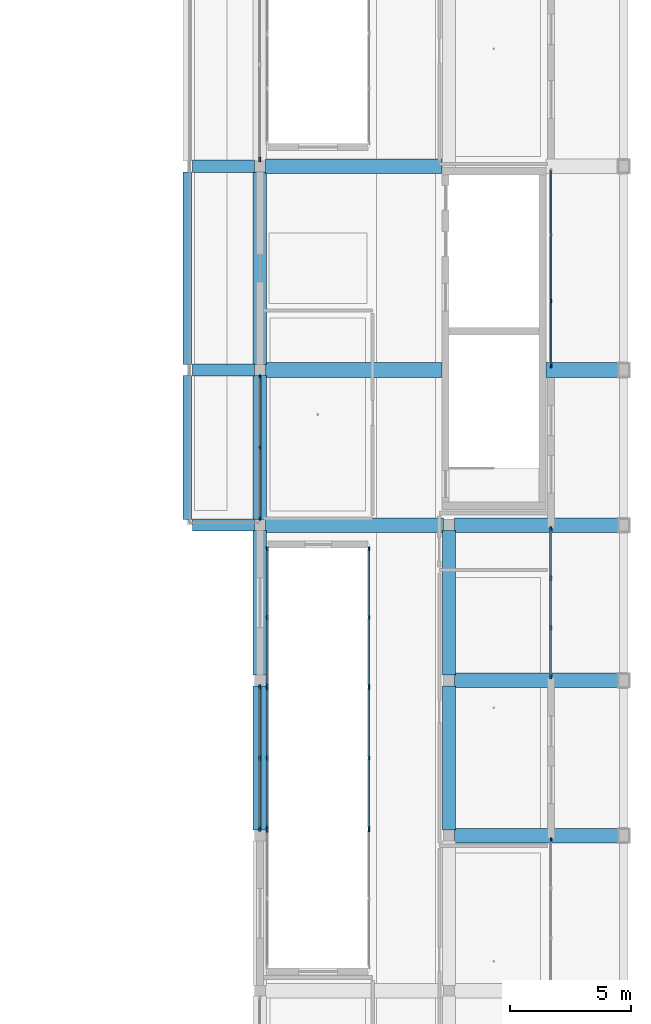
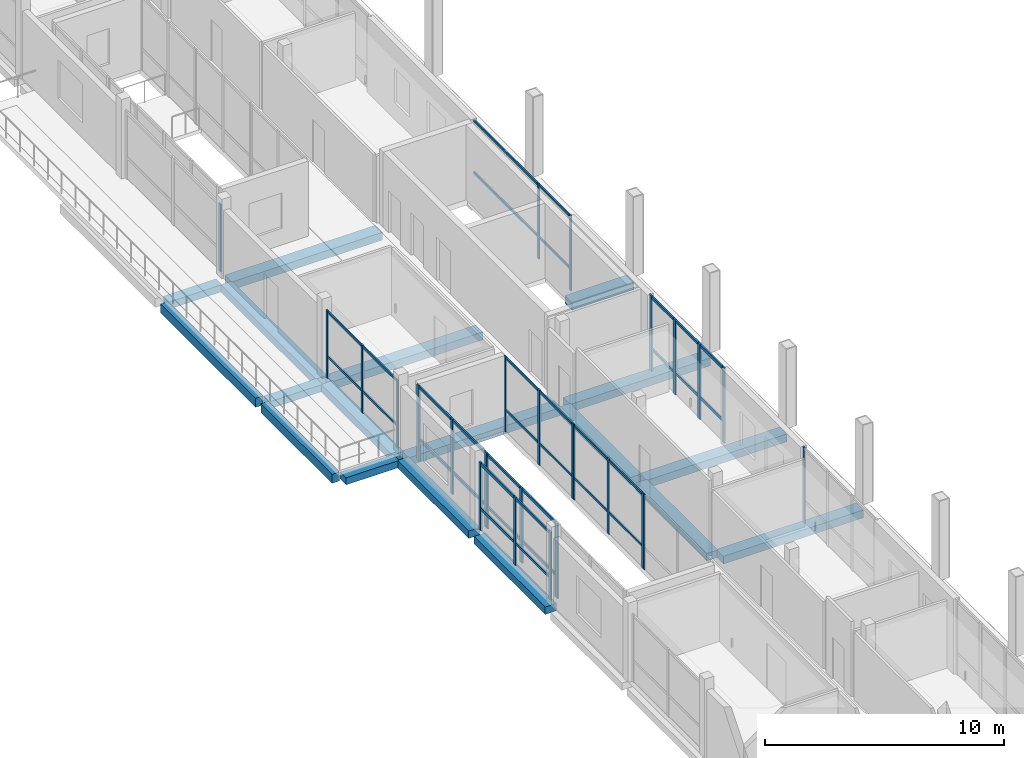
# One storey, part 10 of 48: 44 members, 18 beams, 12 elements without a shape of their own.
"""IFC4 building model written with IfcOpenShell, lengths in metres."""

from ifc_helpers import new_model, si_unit, derived_unit, direction, frame, origin, origin_2d, place, context, subcontext, project, spatial, rectangle, extrude, material, material_profile, profile_set, type_object, element, aggregate, save


model = new_model("IFC4")

# Units and contexts
model_context = context("Model", 3, precision=1e-05, world=origin(), true_north=direction((0.0, 1.0)))
body_context = subcontext(model_context, "Body", "Model", "MODEL_VIEW")
ifc_project = project(units=[si_unit("LENGTHUNIT", "METRE"), si_unit("AREAUNIT", "SQUARE_METRE"), si_unit("VOLUMEUNIT", "CUBIC_METRE"), si_unit("PLANEANGLEUNIT", "RADIAN"), si_unit("MASSUNIT", "GRAM", prefix="KILO"), derived_unit("THERMALTRANSMITTANCEUNIT", [(si_unit("POWERUNIT", "WATT"), 1), (si_unit("LENGTHUNIT", "METRE"), -2), (si_unit("THERMODYNAMICTEMPERATUREUNIT", "KELVIN"), -1)])], contexts=[model_context])

# Site, building, storey
site_placement = place(None, origin())
site = spatial("IfcSite", under=ifc_project, at=site_placement, CompositionType="ELEMENT")
building_placement = place(site_placement, origin())
building = spatial("IfcBuilding", under=site, at=building_placement, Name="Braskholm Square Health Centre", CompositionType="ELEMENT")
storey_placement = place(building_placement, frame((0.0, 0.0, 17.550048828125)))
storey = spatial("IfcBuildingStorey", under=building, at=storey_placement, Name="L05", CompositionType="ELEMENT", Elevation=17.550048828125)

# Curtain wall, member
ifc_material_1 = material(Name="Low-E triple insulating glass (VLT 0.64)", Category="glass")
curtain_wall_type_1 = type_object("IfcCurtainWallType", Name="UnitisedCurtainWall6200x3800", PredefinedType="NOTDEFINED", material=ifc_material_1)
curtain_wall_1_placement = place(storey_placement, origin())
curtain_wall_1 = element("IfcCurtainWall", 1, at=curtain_wall_1_placement, inside=storey, type_object=curtain_wall_type_1, Name="East Crown unitised curtain wall CW-L05-0078", PredefinedType="NOTDEFINED")
ifc_material_2 = material(Name="Architectural bronze anodised aluminium", Category="aluminium")
ifc_material_profile_1 = material_profile(ifc_material_2, rectangle(XDim=0.06494140625, YDim=0.14990234375, at=origin_2d()), Name="ALU-65X150")
ifc_profile_set_1 = profile_set([ifc_material_profile_1], Name="Architectural bronze anodised aluminium")
member_type_1 = type_object("IfcMemberType", Name="CurtainWallMullion65x150", PredefinedType="MULLION", material=ifc_profile_set_1)
member_1_placement = place(storey_placement, frame((160.800048828125, 36.04296875, 0.0), z_axis=(0.0, 0.0, 1.0), x_axis=(1.0, 0.0, 0.0)))
member_1 = element("IfcMember", 2, at=member_1_placement, type_object=member_type_1, Name="CW-L05-0078 vertical mullion 4", PredefinedType="MULLION", context=body_context, shape_type="SweptSolid", body=[
    extrude(rectangle(XDim=0.06494140625, YDim=0.14990234375, at=origin_2d()), origin(), (0.0, 0.0, 1.0), 3.83984375),
])
aggregate(curtain_wall_1, [member_1])

# Curtain wall, members
curtain_wall_2_placement = place(storey_placement, origin())
curtain_wall_2 = element("IfcCurtainWall", 3, at=curtain_wall_2_placement, inside=storey, type_object=curtain_wall_type_1, Name="East Crown unitised curtain wall CW-L05-0080", PredefinedType="NOTDEFINED")
member_2_placement = place(storey_placement, frame((160.800048828125, 55.569091796875, 0.0), z_axis=(0.0, 0.0, 1.0), x_axis=(1.0, 0.0, 0.0)))
member_2 = element("IfcMember", 4, at=member_2_placement, type_object=member_type_1, Name="CW-L05-0080 vertical mullion 1", PredefinedType="MULLION", context=body_context, shape_type="SweptSolid", body=[
    extrude(rectangle(XDim=0.06494140625, YDim=0.14990234375, at=origin_2d()), origin(), (0.0, 0.0, 1.0), 3.83984375),
])
member_3_placement = place(storey_placement, frame((160.800048828125, 58.239990234375, 0.0), z_axis=(0.0, 0.0, 1.0), x_axis=(1.0, 0.0, 0.0)))
member_3 = element("IfcMember", 5, at=member_3_placement, type_object=member_type_1, Name="CW-L05-0080 vertical mullion 2", PredefinedType="MULLION", context=body_context, shape_type="SweptSolid", body=[
    extrude(rectangle(XDim=0.06494140625, YDim=0.14990234375, at=origin_2d()), origin(), (0.0, 0.0, 1.0), 3.83984375),
])

curtain_wall_type_2 = type_object("IfcCurtainWallType", Name="UnitisedCurtainWall6200x3650", PredefinedType="NOTDEFINED", material=ifc_material_1)
curtain_wall_3_placement = place(storey_placement, origin())
curtain_wall_3 = element("IfcCurtainWall", 6, at=curtain_wall_3_placement, inside=storey, type_object=curtain_wall_type_2, Name="East Valley unitised curtain wall CW-L05-0140", PredefinedType="NOTDEFINED")
member_4_placement = place(storey_placement, frame((148.800048828125, 55.12451171875, 0.0), z_axis=(0.0, 0.0, 1.0), x_axis=(1.0, 0.0, 0.0)))
member_4 = element("IfcMember", 7, at=member_4_placement, type_object=member_type_1, Name="CW-L05-0140 vertical mullion 1", PredefinedType="MULLION", context=body_context, shape_type="SweptSolid", body=[
    extrude(rectangle(XDim=0.06494140625, YDim=0.14990234375, at=origin_2d()), origin(), (0.0, 0.0, 1.0), 3.4599609375),
])
member_5_placement = place(storey_placement, frame((148.800048828125, 52.199951171875, 0.0), z_axis=(0.0, 0.0, 1.0), x_axis=(1.0, 0.0, 0.0)))
member_5 = element("IfcMember", 8, at=member_5_placement, type_object=member_type_1, Name="CW-L05-0140 vertical mullion 2", PredefinedType="MULLION", context=body_context, shape_type="SweptSolid", body=[
    extrude(rectangle(XDim=0.06494140625, YDim=0.14990234375, at=origin_2d()), origin(), (0.0, 0.0, 1.0), 3.4599609375),
])
member_6_placement = place(storey_placement, frame((148.800048828125, 49.275390625, 0.0), z_axis=(0.0, 0.0, 1.0), x_axis=(1.0, 0.0, 0.0)))
member_6 = element("IfcMember", 9, at=member_6_placement, type_object=member_type_1, Name="CW-L05-0140 vertical mullion 3", PredefinedType="MULLION", context=body_context, shape_type="SweptSolid", body=[
    extrude(rectangle(XDim=0.06494140625, YDim=0.14990234375, at=origin_2d()), origin(), (0.0, 0.0, 1.0), 3.4599609375),
])

# Curtain wall, member
curtain_wall_type_3 = type_object("IfcCurtainWallType", Name="UnitisedCurtainWall5400x3800", PredefinedType="NOTDEFINED", material=ifc_material_1)
curtain_wall_4_placement = place(storey_placement, origin())
curtain_wall_4 = element("IfcCurtainWall", 10, at=curtain_wall_4_placement, inside=storey, type_object=curtain_wall_type_3, Name="EC1 Court E unitised curtain wall CW-L05-0346", PredefinedType="NOTDEFINED")
member_7_placement = place(storey_placement, frame((153.300048828125, 36.427734375, 0.0), z_axis=(0.0, 0.0, 1.0), x_axis=(1.0, 0.0, 0.0)))
member_7 = element("IfcMember", 11, at=member_7_placement, type_object=member_type_1, Name="CW-L05-0346 vertical mullion 1", PredefinedType="MULLION", context=body_context, shape_type="SweptSolid", body=[
    extrude(rectangle(XDim=0.06494140625, YDim=0.14990234375, at=origin_2d()), origin(), (0.0, 0.0, 1.0), 3.83984375),
])
aggregate(curtain_wall_4, [member_7])

# Curtain wall, members
curtain_wall_5_placement = place(storey_placement, origin())
curtain_wall_5 = element("IfcCurtainWall", 12, at=curtain_wall_5_placement, inside=storey, type_object=curtain_wall_type_1, Name="EC1 Court E unitised curtain wall CW-L05-0348", PredefinedType="NOTDEFINED")
member_8_placement = place(storey_placement, frame((153.300048828125, 42.29296875, 0.0), z_axis=(0.0, 0.0, 1.0), x_axis=(1.0, 0.0, 0.0)))
member_8 = element("IfcMember", 13, at=member_8_placement, type_object=member_type_1, Name="CW-L05-0348 vertical mullion 1", PredefinedType="MULLION", context=body_context, shape_type="SweptSolid", body=[
    extrude(rectangle(XDim=0.06494140625, YDim=0.14990234375, at=origin_2d()), origin(), (0.0, 0.0, 1.0), 3.83984375),
])
member_9_placement = place(storey_placement, frame((153.300048828125, 39.39990234375, 0.0), z_axis=(0.0, 0.0, 1.0), x_axis=(1.0, 0.0, 0.0)))
member_9 = element("IfcMember", 14, at=member_9_placement, type_object=member_type_1, Name="CW-L05-0348 vertical mullion 2", PredefinedType="MULLION", context=body_context, shape_type="SweptSolid", body=[
    extrude(rectangle(XDim=0.06494140625, YDim=0.14990234375, at=origin_2d()), origin(), (0.0, 0.0, 1.0), 3.83984375),
])
member_10_placement = place(storey_placement, frame((153.300048828125, 36.507080078125, 0.0), z_axis=(0.0, 0.0, 1.0), x_axis=(1.0, 0.0, 0.0)))
member_10 = element("IfcMember", 15, at=member_10_placement, type_object=member_type_1, Name="CW-L05-0348 vertical mullion 3", PredefinedType="MULLION", context=body_context, shape_type="SweptSolid", body=[
    extrude(rectangle(XDim=0.06494140625, YDim=0.14990234375, at=origin_2d()), origin(), (0.0, 0.0, 1.0), 3.83984375),
])

curtain_wall_6_placement = place(storey_placement, origin())
curtain_wall_6 = element("IfcCurtainWall", 16, at=curtain_wall_6_placement, inside=storey, type_object=curtain_wall_type_3, Name="EC1 Court E unitised curtain wall CW-L05-0350", PredefinedType="NOTDEFINED")
member_11_placement = place(storey_placement, frame((153.300048828125, 48.025634765625, 0.0), z_axis=(0.0, 0.0, 1.0), x_axis=(1.0, 0.0, 0.0)))
member_11 = element("IfcMember", 17, at=member_11_placement, type_object=member_type_1, Name="CW-L05-0350 vertical mullion 1", PredefinedType="MULLION", context=body_context, shape_type="SweptSolid", body=[
    extrude(rectangle(XDim=0.06494140625, YDim=0.14990234375, at=origin_2d()), origin(), (0.0, 0.0, 1.0), 3.83984375),
])
member_12_placement = place(storey_placement, frame((153.300048828125, 45.198974609375, 0.0), z_axis=(0.0, 0.0, 1.0), x_axis=(1.0, 0.0, 0.0)))
member_12 = element("IfcMember", 18, at=member_12_placement, type_object=member_type_1, Name="CW-L05-0350 vertical mullion 2", PredefinedType="MULLION", context=body_context, shape_type="SweptSolid", body=[
    extrude(rectangle(XDim=0.06494140625, YDim=0.14990234375, at=origin_2d()), origin(), (0.0, 0.0, 1.0), 3.83984375),
])
member_13_placement = place(storey_placement, frame((153.300048828125, 42.372314453125, 0.0), z_axis=(0.0, 0.0, 1.0), x_axis=(1.0, 0.0, 0.0)))
member_13 = element("IfcMember", 19, at=member_13_placement, type_object=member_type_1, Name="CW-L05-0350 vertical mullion 3", PredefinedType="MULLION", context=body_context, shape_type="SweptSolid", body=[
    extrude(rectangle(XDim=0.06494140625, YDim=0.14990234375, at=origin_2d()), origin(), (0.0, 0.0, 1.0), 3.83984375),
])

curtain_wall_7_placement = place(storey_placement, origin())
curtain_wall_7 = element("IfcCurtainWall", 20, at=curtain_wall_7_placement, inside=storey, type_object=curtain_wall_type_1, Name="East Crown unitised curtain wall CW-L05-0079", PredefinedType="NOTDEFINED")
ifc_material_profile_2 = material_profile(ifc_material_2, rectangle(XDim=0.074951171875, YDim=0.179931640625, at=origin_2d()), Name="ALU-75X180")
ifc_profile_set_2 = profile_set([ifc_material_profile_2], Name="Architectural bronze anodised aluminium")
member_type_2 = type_object("IfcMemberType", Name="CurtainWallMullion75x180", PredefinedType="MULLION", material=ifc_profile_set_2)
member_14_placement = place(storey_placement, frame((160.800048828125, 42.757080078125, 0.0), z_axis=(0.0, 0.0, 1.0), x_axis=(1.0, 0.0, 0.0)))
member_14 = element("IfcMember", 21, at=member_14_placement, type_object=member_type_2, Name="CW-L05-0079 vertical mullion 1", PredefinedType="MULLION", context=body_context, shape_type="SweptSolid", body=[
    extrude(rectangle(XDim=0.074951171875, YDim=0.179931640625, at=origin_2d()), origin(), (0.0, 0.0, 1.0), 3.83984375),
])
member_15_placement = place(storey_placement, frame((160.800048828125, 44.773193359375, 0.0), z_axis=(0.0, 0.0, 1.0), x_axis=(1.0, 0.0, 0.0)))
member_15 = element("IfcMember", 22, at=member_15_placement, type_object=member_type_2, Name="CW-L05-0079 vertical mullion 2", PredefinedType="MULLION", context=body_context, shape_type="SweptSolid", body=[
    extrude(rectangle(XDim=0.074951171875, YDim=0.179931640625, at=origin_2d()), origin(), (0.0, 0.0, 1.0), 3.83984375),
])
member_16_placement = place(storey_placement, frame((160.800048828125, 46.82666015625, 0.0), z_axis=(0.0, 0.0, 1.0), x_axis=(1.0, 0.0, 0.0)))
member_16 = element("IfcMember", 23, at=member_16_placement, type_object=member_type_2, Name="CW-L05-0079 vertical mullion 3", PredefinedType="MULLION", context=body_context, shape_type="SweptSolid", body=[
    extrude(rectangle(XDim=0.074951171875, YDim=0.179931640625, at=origin_2d()), origin(), (0.0, 0.0, 1.0), 3.83984375),
])
member_17_placement = place(storey_placement, frame((160.800048828125, 48.843017578125, 0.0), z_axis=(0.0, 0.0, 1.0), x_axis=(1.0, 0.0, 0.0)))
member_17 = element("IfcMember", 24, at=member_17_placement, type_object=member_type_2, Name="CW-L05-0079 vertical mullion 4", PredefinedType="MULLION", context=body_context, shape_type="SweptSolid", body=[
    extrude(rectangle(XDim=0.074951171875, YDim=0.179931640625, at=origin_2d()), origin(), (0.0, 0.0, 1.0), 3.83984375),
])

curtain_wall_8_placement = place(storey_placement, origin())
curtain_wall_8 = element("IfcCurtainWall", 25, at=curtain_wall_8_placement, inside=storey, type_object=curtain_wall_type_2, Name="East Valley unitised curtain wall CW-L05-0139", PredefinedType="NOTDEFINED")
member_18_placement = place(storey_placement, frame((148.800048828125, 42.324462890625, 0.0), z_axis=(0.0, 0.0, 1.0), x_axis=(1.0, 0.0, 0.0)))
member_18 = element("IfcMember", 26, at=member_18_placement, type_object=member_type_2, Name="CW-L05-0139 vertical mullion 1", PredefinedType="MULLION", context=body_context, shape_type="SweptSolid", body=[
    extrude(rectangle(XDim=0.074951171875, YDim=0.179931640625, at=origin_2d()), origin(), (0.0, 0.0, 1.0), 3.4599609375),
])
member_19_placement = place(storey_placement, frame((148.800048828125, 39.39990234375, 0.0), z_axis=(0.0, 0.0, 1.0), x_axis=(1.0, 0.0, 0.0)))
member_19 = element("IfcMember", 27, at=member_19_placement, type_object=member_type_2, Name="CW-L05-0139 vertical mullion 2", PredefinedType="MULLION", context=body_context, shape_type="SweptSolid", body=[
    extrude(rectangle(XDim=0.074951171875, YDim=0.179931640625, at=origin_2d()), origin(), (0.0, 0.0, 1.0), 3.4599609375),
])
member_20_placement = place(storey_placement, frame((148.800048828125, 36.4755859375, 0.0), z_axis=(0.0, 0.0, 1.0), x_axis=(1.0, 0.0, 0.0)))
member_20 = element("IfcMember", 28, at=member_20_placement, type_object=member_type_2, Name="CW-L05-0139 vertical mullion 3", PredefinedType="MULLION", context=body_context, shape_type="SweptSolid", body=[
    extrude(rectangle(XDim=0.074951171875, YDim=0.179931640625, at=origin_2d()), origin(), (0.0, 0.0, 1.0), 3.4599609375),
])

# Curtain wall, member
curtain_wall_9_placement = place(storey_placement, origin())
curtain_wall_9 = element("IfcCurtainWall", 29, at=curtain_wall_9_placement, inside=storey, type_object=curtain_wall_type_2, Name="East Valley unitised curtain wall CW-L05-0141", PredefinedType="NOTDEFINED")
member_21_placement = place(storey_placement, frame((148.800048828125, 64.08740234375, 0.0), z_axis=(0.0, 0.0, 1.0), x_axis=(1.0, 0.0, 0.0)))
member_21 = element("IfcMember", 30, at=member_21_placement, type_object=member_type_2, Name="CW-L05-0141 vertical mullion 3", PredefinedType="MULLION", context=body_context, shape_type="SweptSolid", body=[
    extrude(rectangle(XDim=0.074951171875, YDim=0.179931640625, at=origin_2d()), origin(), (0.0, 0.0, 1.0), 3.4599609375),
])
aggregate(curtain_wall_9, [member_21])

curtain_wall_10_placement = place(storey_placement, origin())
curtain_wall_10 = element("IfcCurtainWall", 31, at=curtain_wall_10_placement, inside=storey, type_object=curtain_wall_type_3, Name="EC1 Court W unitised curtain wall CW-L05-0345", PredefinedType="NOTDEFINED")
member_22_placement = place(storey_placement, frame((149.10009765625, 36.427734375, 0.0), z_axis=(0.0, 0.0, 1.0), x_axis=(1.0, 0.0, 0.0)))
member_22 = element("IfcMember", 32, at=member_22_placement, type_object=member_type_2, Name="CW-L05-0345 vertical mullion 3", PredefinedType="MULLION", context=body_context, shape_type="SweptSolid", body=[
    extrude(rectangle(XDim=0.074951171875, YDim=0.179931640625, at=origin_2d()), origin(), (0.0, 0.0, 1.0), 3.83984375),
])
aggregate(curtain_wall_10, [member_22])

# Curtain wall, members
curtain_wall_11_placement = place(storey_placement, origin())
curtain_wall_11 = element("IfcCurtainWall", 33, at=curtain_wall_11_placement, inside=storey, type_object=curtain_wall_type_1, Name="EC1 Court W unitised curtain wall CW-L05-0347", PredefinedType="NOTDEFINED")
member_23_placement = place(storey_placement, frame((149.10009765625, 36.507080078125, 0.0), z_axis=(0.0, 0.0, 1.0), x_axis=(1.0, 0.0, 0.0)))
member_23 = element("IfcMember", 34, at=member_23_placement, type_object=member_type_2, Name="CW-L05-0347 vertical mullion 1", PredefinedType="MULLION", context=body_context, shape_type="SweptSolid", body=[
    extrude(rectangle(XDim=0.074951171875, YDim=0.179931640625, at=origin_2d()), origin(), (0.0, 0.0, 1.0), 3.83984375),
])
member_24_placement = place(storey_placement, frame((149.10009765625, 39.39990234375, 0.0), z_axis=(0.0, 0.0, 1.0), x_axis=(1.0, 0.0, 0.0)))
member_24 = element("IfcMember", 35, at=member_24_placement, type_object=member_type_2, Name="CW-L05-0347 vertical mullion 2", PredefinedType="MULLION", context=body_context, shape_type="SweptSolid", body=[
    extrude(rectangle(XDim=0.074951171875, YDim=0.179931640625, at=origin_2d()), origin(), (0.0, 0.0, 1.0), 3.83984375),
])
member_25_placement = place(storey_placement, frame((149.10009765625, 42.29296875, 0.0), z_axis=(0.0, 0.0, 1.0), x_axis=(1.0, 0.0, 0.0)))
member_25 = element("IfcMember", 36, at=member_25_placement, type_object=member_type_2, Name="CW-L05-0347 vertical mullion 3", PredefinedType="MULLION", context=body_context, shape_type="SweptSolid", body=[
    extrude(rectangle(XDim=0.074951171875, YDim=0.179931640625, at=origin_2d()), origin(), (0.0, 0.0, 1.0), 3.83984375),
])

curtain_wall_12_placement = place(storey_placement, origin())
curtain_wall_12 = element("IfcCurtainWall", 37, at=curtain_wall_12_placement, inside=storey, type_object=curtain_wall_type_3, Name="EC1 Court W unitised curtain wall CW-L05-0349", PredefinedType="NOTDEFINED")
member_26_placement = place(storey_placement, frame((149.10009765625, 42.372314453125, 0.0), z_axis=(0.0, 0.0, 1.0), x_axis=(1.0, 0.0, 0.0)))
member_26 = element("IfcMember", 38, at=member_26_placement, type_object=member_type_2, Name="CW-L05-0349 vertical mullion 1", PredefinedType="MULLION", context=body_context, shape_type="SweptSolid", body=[
    extrude(rectangle(XDim=0.074951171875, YDim=0.179931640625, at=origin_2d()), origin(), (0.0, 0.0, 1.0), 3.83984375),
])
member_27_placement = place(storey_placement, frame((149.10009765625, 45.198974609375, 0.0), z_axis=(0.0, 0.0, 1.0), x_axis=(1.0, 0.0, 0.0)))
member_27 = element("IfcMember", 39, at=member_27_placement, type_object=member_type_2, Name="CW-L05-0349 vertical mullion 2", PredefinedType="MULLION", context=body_context, shape_type="SweptSolid", body=[
    extrude(rectangle(XDim=0.074951171875, YDim=0.179931640625, at=origin_2d()), origin(), (0.0, 0.0, 1.0), 3.83984375),
])
member_28_placement = place(storey_placement, frame((149.10009765625, 48.025634765625, 0.0), z_axis=(0.0, 0.0, 1.0), x_axis=(1.0, 0.0, 0.0)))
member_28 = element("IfcMember", 40, at=member_28_placement, type_object=member_type_2, Name="CW-L05-0349 vertical mullion 3", PredefinedType="MULLION", context=body_context, shape_type="SweptSolid", body=[
    extrude(rectangle(XDim=0.074951171875, YDim=0.179931640625, at=origin_2d()), origin(), (0.0, 0.0, 1.0), 3.83984375),
])

# Member
ifc_material_profile_3 = material_profile(ifc_material_2, rectangle(XDim=0.06494140625, YDim=0.1201171875, at=origin_2d()), Name="ALU-65X120")
ifc_profile_set_3 = profile_set([ifc_material_profile_3], Name="Architectural bronze anodised aluminium")
member_type_3 = type_object("IfcMemberType", Name="CurtainWallTransom65x120", PredefinedType="USERDEFINED", material=ifc_profile_set_3)
member_29_placement = place(storey_placement, frame((160.800048828125, 55.56494140625, 1.119873046875), z_axis=(0.0, 1.0, 0.0), x_axis=(-1.0, 0.0, 0.0)))
member_29 = element("IfcMember", 41, at=member_29_placement, type_object=member_type_3, Name="CW-L05-0080 horizontal transom 1", ObjectType="TRANSOM", PredefinedType="USERDEFINED", context=body_context, shape_type="SweptSolid", body=[
    extrude(rectangle(XDim=0.06494140625, YDim=0.1201171875, at=origin_2d()), origin(), (0.0, 0.0, 1.0), 8.070068359375),
])

member_30_placement = place(storey_placement, frame((160.800048828125, 55.56494140625, 3.77001953125), z_axis=(0.0, 1.0, 0.0), x_axis=(-1.0, 0.0, 0.0)))
member_30 = element("IfcMember", 42, at=member_30_placement, type_object=member_type_3, Name="CW-L05-0080 horizontal transom 2", ObjectType="TRANSOM", PredefinedType="USERDEFINED", context=body_context, shape_type="SweptSolid", body=[
    extrude(rectangle(XDim=0.06494140625, YDim=0.1201171875, at=origin_2d()), origin(), (0.0, 0.0, 1.0), 8.070068359375),
])

aggregate(curtain_wall_2, [member_2, member_3, member_29, member_30])

member_31_placement = place(storey_placement, frame((148.800048828125, 55.114990234375, 1.119873046875), z_axis=(0.0, -1.0, 0.0), x_axis=(1.0, 0.0, 0.0)))
member_31 = element("IfcMember", 43, at=member_31_placement, type_object=member_type_3, Name="CW-L05-0140 horizontal transom 1", ObjectType="TRANSOM", PredefinedType="USERDEFINED", context=body_context, shape_type="SweptSolid", body=[
    extrude(rectangle(XDim=0.06494140625, YDim=0.1201171875, at=origin_2d()), origin(), (0.0, 0.0, 1.0), 5.830078125),
])

member_32_placement = place(storey_placement, frame((148.800048828125, 55.114990234375, 3.389892578125), z_axis=(0.0, -1.0, 0.0), x_axis=(1.0, 0.0, 0.0)))
member_32 = element("IfcMember", 44, at=member_32_placement, type_object=member_type_3, Name="CW-L05-0140 horizontal transom 2", ObjectType="TRANSOM", PredefinedType="USERDEFINED", context=body_context, shape_type="SweptSolid", body=[
    extrude(rectangle(XDim=0.06494140625, YDim=0.1201171875, at=origin_2d()), origin(), (0.0, 0.0, 1.0), 5.830078125),
])

aggregate(curtain_wall_3, [member_4, member_5, member_6, member_31, member_32])

member_33_placement = place(storey_placement, frame((153.300048828125, 42.282958984375, 1.119873046875), z_axis=(0.0, -1.0, 0.0), x_axis=(1.0, 0.0, 0.0)))
member_33 = element("IfcMember", 45, at=member_33_placement, type_object=member_type_3, Name="CW-L05-0348 horizontal transom 1", ObjectType="TRANSOM", PredefinedType="USERDEFINED", context=body_context, shape_type="SweptSolid", body=[
    extrude(rectangle(XDim=0.06494140625, YDim=0.1201171875, at=origin_2d()), origin(), (0.0, 0.0, 1.0), 5.765869140625),
])

member_34_placement = place(storey_placement, frame((153.300048828125, 42.282958984375, 3.77001953125), z_axis=(0.0, -1.0, 0.0), x_axis=(1.0, 0.0, 0.0)))
member_34 = element("IfcMember", 46, at=member_34_placement, type_object=member_type_3, Name="CW-L05-0348 horizontal transom 2", ObjectType="TRANSOM", PredefinedType="USERDEFINED", context=body_context, shape_type="SweptSolid", body=[
    extrude(rectangle(XDim=0.06494140625, YDim=0.1201171875, at=origin_2d()), origin(), (0.0, 0.0, 1.0), 5.765869140625),
])

aggregate(curtain_wall_5, [member_8, member_9, member_10, member_33, member_34])

member_35_placement = place(storey_placement, frame((153.300048828125, 48.014892578125, 1.119873046875), z_axis=(0.0, -1.0, 0.0), x_axis=(1.0, 0.0, 0.0)))
member_35 = element("IfcMember", 47, at=member_35_placement, type_object=member_type_3, Name="CW-L05-0350 horizontal transom 1", ObjectType="TRANSOM", PredefinedType="USERDEFINED", context=body_context, shape_type="SweptSolid", body=[
    extrude(rectangle(XDim=0.06494140625, YDim=0.1201171875, at=origin_2d()), origin(), (0.0, 0.0, 1.0), 5.6318359375),
])

member_36_placement = place(storey_placement, frame((153.300048828125, 48.014892578125, 3.77001953125), z_axis=(0.0, -1.0, 0.0), x_axis=(1.0, 0.0, 0.0)))
member_36 = element("IfcMember", 48, at=member_36_placement, type_object=member_type_3, Name="CW-L05-0350 horizontal transom 2", ObjectType="TRANSOM", PredefinedType="USERDEFINED", context=body_context, shape_type="SweptSolid", body=[
    extrude(rectangle(XDim=0.06494140625, YDim=0.1201171875, at=origin_2d()), origin(), (0.0, 0.0, 1.0), 5.6318359375),
])

aggregate(curtain_wall_6, [member_11, member_12, member_13, member_35, member_36])

ifc_material_profile_4 = material_profile(ifc_material_2, rectangle(XDim=0.074951171875, YDim=0.139892578125, at=origin_2d()), Name="ALU-75X140")
ifc_profile_set_4 = profile_set([ifc_material_profile_4], Name="Architectural bronze anodised aluminium")
member_type_4 = type_object("IfcMemberType", Name="CurtainWallTransom75x140", PredefinedType="USERDEFINED", material=ifc_profile_set_4)
member_37_placement = place(storey_placement, frame((160.800048828125, 42.764892578125, 1.119873046875), z_axis=(0.0, 1.0, 0.0), x_axis=(-1.0, 0.0, 0.0)))
member_37 = element("IfcMember", 49, at=member_37_placement, type_object=member_type_4, Name="CW-L05-0079 horizontal transom 1", ObjectType="TRANSOM", PredefinedType="USERDEFINED", context=body_context, shape_type="SweptSolid", body=[
    extrude(rectangle(XDim=0.074951171875, YDim=0.139892578125, at=origin_2d()), origin(), (0.0, 0.0, 1.0), 6.070068359375),
])

member_38_placement = place(storey_placement, frame((160.800048828125, 42.764892578125, 3.77001953125), z_axis=(0.0, 1.0, 0.0), x_axis=(-1.0, 0.0, 0.0)))
member_38 = element("IfcMember", 50, at=member_38_placement, type_object=member_type_4, Name="CW-L05-0079 horizontal transom 2", ObjectType="TRANSOM", PredefinedType="USERDEFINED", context=body_context, shape_type="SweptSolid", body=[
    extrude(rectangle(XDim=0.074951171875, YDim=0.139892578125, at=origin_2d()), origin(), (0.0, 0.0, 1.0), 6.070068359375),
])

aggregate(curtain_wall_7, [member_14, member_15, member_16, member_17, member_37, member_38])

member_39_placement = place(storey_placement, frame((148.800048828125, 42.31494140625, 1.119873046875), z_axis=(0.0, -1.0, 0.0), x_axis=(1.0, 0.0, 0.0)))
member_39 = element("IfcMember", 51, at=member_39_placement, type_object=member_type_4, Name="CW-L05-0139 horizontal transom 1", ObjectType="TRANSOM", PredefinedType="USERDEFINED", context=body_context, shape_type="SweptSolid", body=[
    extrude(rectangle(XDim=0.074951171875, YDim=0.139892578125, at=origin_2d()), origin(), (0.0, 0.0, 1.0), 5.829833984375),
])

member_40_placement = place(storey_placement, frame((148.800048828125, 42.31494140625, 3.389892578125), z_axis=(0.0, -1.0, 0.0), x_axis=(1.0, 0.0, 0.0)))
member_40 = element("IfcMember", 52, at=member_40_placement, type_object=member_type_4, Name="CW-L05-0139 horizontal transom 2", ObjectType="TRANSOM", PredefinedType="USERDEFINED", context=body_context, shape_type="SweptSolid", body=[
    extrude(rectangle(XDim=0.074951171875, YDim=0.139892578125, at=origin_2d()), origin(), (0.0, 0.0, 1.0), 5.829833984375),
])

aggregate(curtain_wall_8, [member_18, member_19, member_20, member_39, member_40])

member_41_placement = place(storey_placement, frame((149.10009765625, 36.51708984375, 1.119873046875), z_axis=(0.0, 1.0, 0.0), x_axis=(-1.0, 0.0, 0.0)))
member_41 = element("IfcMember", 53, at=member_41_placement, type_object=member_type_4, Name="CW-L05-0347 horizontal transom 1", ObjectType="TRANSOM", PredefinedType="USERDEFINED", context=body_context, shape_type="SweptSolid", body=[
    extrude(rectangle(XDim=0.074951171875, YDim=0.139892578125, at=origin_2d()), origin(), (0.0, 0.0, 1.0), 5.765869140625),
])

member_42_placement = place(storey_placement, frame((149.10009765625, 36.51708984375, 3.77001953125), z_axis=(0.0, 1.0, 0.0), x_axis=(-1.0, 0.0, 0.0)))
member_42 = element("IfcMember", 54, at=member_42_placement, type_object=member_type_4, Name="CW-L05-0347 horizontal transom 2", ObjectType="TRANSOM", PredefinedType="USERDEFINED", context=body_context, shape_type="SweptSolid", body=[
    extrude(rectangle(XDim=0.074951171875, YDim=0.139892578125, at=origin_2d()), origin(), (0.0, 0.0, 1.0), 5.765869140625),
])

aggregate(curtain_wall_11, [member_23, member_24, member_25, member_41, member_42])

member_43_placement = place(storey_placement, frame((149.10009765625, 42.383056640625, 1.119873046875), z_axis=(0.0, 1.0, 0.0), x_axis=(-1.0, 0.0, 0.0)))
member_43 = element("IfcMember", 55, at=member_43_placement, type_object=member_type_4, Name="CW-L05-0349 horizontal transom 1", ObjectType="TRANSOM", PredefinedType="USERDEFINED", context=body_context, shape_type="SweptSolid", body=[
    extrude(rectangle(XDim=0.074951171875, YDim=0.139892578125, at=origin_2d()), origin(), (0.0, 0.0, 1.0), 5.6318359375),
])

member_44_placement = place(storey_placement, frame((149.10009765625, 42.383056640625, 3.77001953125), z_axis=(0.0, 1.0, 0.0), x_axis=(-1.0, 0.0, 0.0)))
member_44 = element("IfcMember", 56, at=member_44_placement, type_object=member_type_4, Name="CW-L05-0349 horizontal transom 2", ObjectType="TRANSOM", PredefinedType="USERDEFINED", context=body_context, shape_type="SweptSolid", body=[
    extrude(rectangle(XDim=0.074951171875, YDim=0.139892578125, at=origin_2d()), origin(), (0.0, 0.0, 1.0), 5.6318359375),
])

aggregate(curtain_wall_12, [member_26, member_27, member_28, member_43, member_44])

# Beams
ifc_material_3 = material(Name="Concrete C35/45 (f'c = 35 MPa)", Category="concrete")
ifc_material_profile_5 = material_profile(ifc_material_3, rectangle(XDim=0.5, YDim=0.360107421875, at=origin_2d()), Name="RCB-500X360")
ifc_profile_set_5 = profile_set([ifc_material_profile_5], Name="Concrete C35/45 (f'c = 35 MPa)")
beam_type_1 = type_object("IfcBeamType", Name="PrimaryBandBeam500x360", PredefinedType="BEAM", material=ifc_profile_set_5)
for number, where, z_axis, x_axis, name in (
    (57, (146.02490234375, 49.0, -0.4599609375), (1.0, 0.0, 0.0), (0.0, 1.0, 0.0), "Beam 19-20/H L05"),
    (58, (146.02490234375, 55.39990234375, -0.4599609375), (1.0, 0.0, 0.0), (0.0, 1.0, 0.0), "Beam 19-20/J L05"),
    (59, (146.02490234375, 63.800048828125, -0.4599609375), (1.0, 0.0, 0.0), (0.0, 1.0, 0.0), "Beam 19-20/K L05"),
):
    element("IfcBeam", number, at=place(storey_placement, frame(where, z_axis=z_axis, x_axis=x_axis)), inside=storey, type_object=beam_type_1, Name=name, PredefinedType="BEAM", context=body_context, shape_type="SweptSolid", body=[
        extrude(rectangle(XDim=0.5, YDim=0.360107421875, at=origin_2d()), origin(), (0.0, 0.0, 1.0), 2.550048828125),
    ])
ifc_material_profile_6 = material_profile(ifc_material_3, rectangle(XDim=0.550048828125, YDim=0.3798828125, at=origin_2d()), Name="RCB-550X380")
ifc_profile_set_6 = profile_set([ifc_material_profile_6], Name="Concrete C35/45 (f'c = 35 MPa)")
beam_type_2 = type_object("IfcBeamType", Name="PrimaryBandBeam550x380", PredefinedType="BEAM", material=ifc_profile_set_6)
for number, where, z_axis, x_axis, name in (
    (60, (148.800048828125, 36.425048828125, -0.469970703125), (0.0, 1.0, 0.0), (-1.0, 0.0, 0.0), "Beam 20/F-G L05"),
    (61, (148.800048828125, 42.824951171875, -0.469970703125), (0.0, 1.0, 0.0), (-1.0, 0.0, 0.0), "Beam 20/G-H L05"),
    (62, (148.800048828125, 49.22509765625, -0.469970703125), (0.0, 1.0, 0.0), (-1.0, 0.0, 0.0), "Beam 20/H-J L05"),
):
    element("IfcBeam", number, at=place(storey_placement, frame(where, z_axis=z_axis, x_axis=x_axis)), inside=storey, type_object=beam_type_2, Name=name, PredefinedType="BEAM", context=body_context, shape_type="SweptSolid", body=[
        extrude(rectangle(XDim=0.550048828125, YDim=0.3798828125, at=origin_2d()), origin(), (0.0, 0.0, 1.0), 5.949951171875),
    ])
beam_1_placement = place(storey_placement, frame((148.800048828125, 55.625, -0.469970703125), z_axis=(0.0, 1.0, 0.0), x_axis=(-1.0, 0.0, 0.0)))
element("IfcBeam", 63, at=beam_1_placement, inside=storey, type_object=beam_type_2, Name="Beam 20/J-K L05", PredefinedType="BEAM", context=body_context, shape_type="SweptSolid", body=[
    extrude(rectangle(XDim=0.550048828125, YDim=0.3798828125, at=origin_2d()), origin(), (0.0, 0.0, 1.0), 7.949951171875),
])
for number, where, z_axis, x_axis, name in (
    (64, (156.60009765625, 36.425048828125, -0.469970703125), (0.0, 1.0, 0.0), (-1.0, 0.0, 0.0), "Beam 21/F-G L05"),
    (65, (156.60009765625, 42.824951171875, -0.469970703125), (0.0, 1.0, 0.0), (-1.0, 0.0, 0.0), "Beam 21/G-H L05"),
):
    element("IfcBeam", number, at=place(storey_placement, frame(where, z_axis=z_axis, x_axis=x_axis)), inside=storey, type_object=beam_type_2, Name=name, PredefinedType="BEAM", context=body_context, shape_type="SweptSolid", body=[
        extrude(rectangle(XDim=0.550048828125, YDim=0.3798828125, at=origin_2d()), origin(), (0.0, 0.0, 1.0), 5.949951171875),
    ])
ifc_material_profile_7 = material_profile(ifc_material_3, rectangle(XDim=0.60009765625, YDim=0.39990234375, at=origin_2d()), Name="RCB-600X400")
ifc_profile_set_7 = profile_set([ifc_material_profile_7], Name="Concrete C35/45 (f'c = 35 MPa)")
beam_type_3 = type_object("IfcBeamType", Name="PrimaryBandBeam600x400", PredefinedType="BEAM", material=ifc_profile_set_7)
for number, where, z_axis, x_axis, name in (
    (66, (156.824951171875, 36.199951171875, -0.47998046875), (1.0, 0.0, 0.0), (0.0, 1.0, 0.0), "Beam 21-22/F L05"),
    (67, (156.824951171875, 42.60009765625, -0.47998046875), (1.0, 0.0, 0.0), (0.0, 1.0, 0.0), "Beam 21-22/G L05"),
):
    element("IfcBeam", number, at=place(storey_placement, frame(where, z_axis=z_axis, x_axis=x_axis)), inside=storey, type_object=beam_type_3, Name=name, PredefinedType="BEAM", context=body_context, shape_type="SweptSolid", body=[
        extrude(rectangle(XDim=0.60009765625, YDim=0.39990234375, at=origin_2d()), origin(), (0.0, 0.0, 1.0), 6.76513671875),
    ])
beam_2_placement = place(storey_placement, frame((149.02490234375, 49.0, -0.47998046875), z_axis=(1.0, 0.0, 0.0), x_axis=(0.0, 1.0, 0.0)))
element("IfcBeam", 68, at=beam_2_placement, inside=storey, type_object=beam_type_3, Name="Beam 20-21/H L05", PredefinedType="BEAM", context=body_context, shape_type="SweptSolid", body=[
    extrude(rectangle(XDim=0.60009765625, YDim=0.39990234375, at=origin_2d()), origin(), (0.0, 0.0, 1.0), 7.35009765625),
])
beam_3_placement = place(storey_placement, frame((156.824951171875, 49.0, -0.47998046875), z_axis=(1.0, 0.0, 0.0), x_axis=(0.0, 1.0, 0.0)))
element("IfcBeam", 69, at=beam_3_placement, inside=storey, type_object=beam_type_3, Name="Beam 21-22/H L05", PredefinedType="BEAM", context=body_context, shape_type="SweptSolid", body=[
    extrude(rectangle(XDim=0.60009765625, YDim=0.39990234375, at=origin_2d()), origin(), (0.0, 0.0, 1.0), 6.76513671875),
])
beam_4_placement = place(storey_placement, frame((149.02490234375, 55.39990234375, -0.47998046875), z_axis=(1.0, 0.0, 0.0), x_axis=(0.0, 1.0, 0.0)))
element("IfcBeam", 70, at=beam_4_placement, inside=storey, type_object=beam_type_3, Name="Beam 20-22/J L05", PredefinedType="BEAM", context=body_context, shape_type="SweptSolid", body=[
    extrude(rectangle(XDim=0.60009765625, YDim=0.39990234375, at=origin_2d()), origin(), (0.0, 0.0, 1.0), 7.275146484375),
])
beam_5_placement = place(storey_placement, frame((160.60009765625, 55.39990234375, -0.47998046875), z_axis=(1.0, 0.0, 0.0), x_axis=(0.0, 1.0, 0.0)))
element("IfcBeam", 71, at=beam_5_placement, inside=storey, type_object=beam_type_3, Name="Beam 20-22/J L05", PredefinedType="BEAM", context=body_context, shape_type="SweptSolid", body=[
    extrude(rectangle(XDim=0.60009765625, YDim=0.39990234375, at=origin_2d()), origin(), (0.0, 0.0, 1.0), 2.989990234375),
])
beam_6_placement = place(storey_placement, frame((149.02490234375, 63.800048828125, -0.47998046875), z_axis=(1.0, 0.0, 0.0), x_axis=(0.0, 1.0, 0.0)))
element("IfcBeam", 72, at=beam_6_placement, inside=storey, type_object=beam_type_3, Name="Beam 20-22/K L05", PredefinedType="BEAM", context=body_context, shape_type="SweptSolid", body=[
    extrude(rectangle(XDim=0.60009765625, YDim=0.39990234375, at=origin_2d()), origin(), (0.0, 0.0, 1.0), 7.275146484375),
])
ifc_material_4 = material(Name="Precast concrete C40/50 architectural white", Category="concrete")
ifc_material_profile_8 = material_profile(ifc_material_4, rectangle(XDim=0.360107421875, YDim=0.4599609375, at=origin_2d()), Name="RCB-360X460")
ifc_profile_set_8 = profile_set([ifc_material_profile_8], Name="Precast concrete C40/50 architectural white")
beam_type_4 = type_object("IfcBeamType", Name="SpandrelTerraceEdge360x460", PredefinedType="SPANDREL", material=ifc_profile_set_8)
beam_7_placement = place(storey_placement, frame((145.800048828125, 49.22509765625, -0.47998046875), z_axis=(0.0, 1.0, 0.0), x_axis=(-1.0, 0.0, 0.0)))
element("IfcBeam", 73, at=beam_7_placement, inside=storey, type_object=beam_type_4, Name="Beam 19/H-J L05", PredefinedType="SPANDREL", context=body_context, shape_type="SweptSolid", body=[
    extrude(rectangle(XDim=0.360107421875, YDim=0.4599609375, at=origin_2d()), origin(), (0.0, 0.0, 1.0), 5.949951171875),
])
beam_8_placement = place(storey_placement, frame((145.800048828125, 55.625, -0.47998046875), z_axis=(0.0, 1.0, 0.0), x_axis=(-1.0, 0.0, 0.0)))
element("IfcBeam", 74, at=beam_8_placement, inside=storey, type_object=beam_type_4, Name="Beam 19/J-K L05", PredefinedType="SPANDREL", context=body_context, shape_type="SweptSolid", body=[
    extrude(rectangle(XDim=0.360107421875, YDim=0.4599609375, at=origin_2d()), origin(), (0.0, 0.0, 1.0), 7.949951171875),
])

save(model, "model.ifc")
